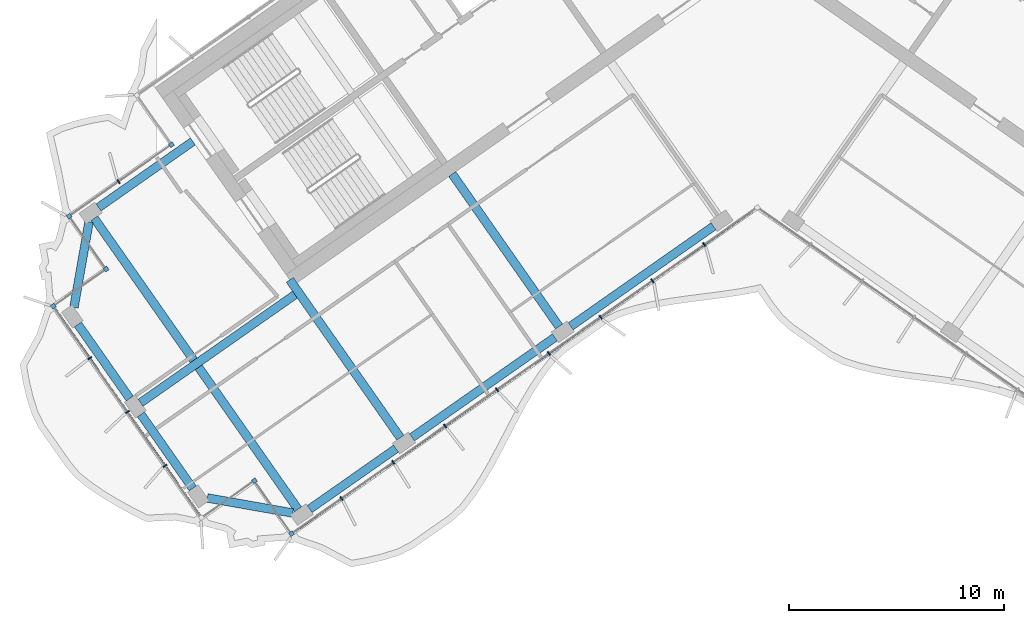
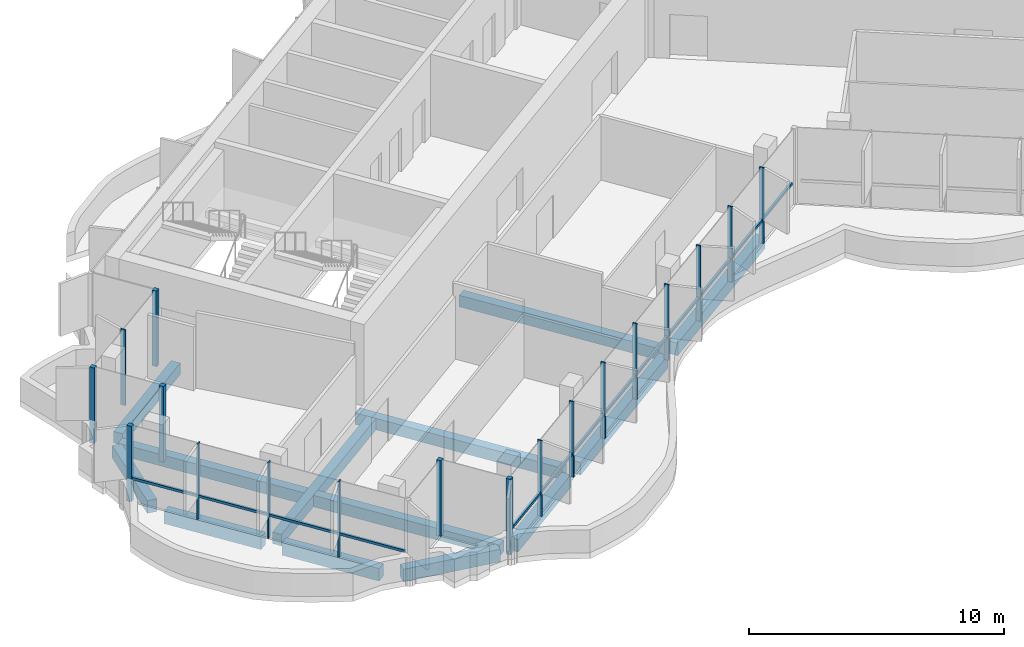
# One storey, part 2 of 20: 20 members, 12 beams, 2 elements without a shape of their own.
"""IFC4 building model written with IfcOpenShell, lengths in metres."""

from ifc_helpers import new_model, si_unit, direction, frame, origin, origin_2d, place, context, subcontext, project, spatial, rectangle, extrude, material, material_profile, profile_set, type_object, element, aggregate, save


model = new_model("IFC4")

# Units and contexts
model_context = context("Model", 3, precision=1e-05, world=origin(), true_north=direction((0.0, 1.0)))
body_context = subcontext(model_context, "Body", "Model", "MODEL_VIEW")
ifc_project = project(units=[si_unit("LENGTHUNIT", "METRE"), si_unit("AREAUNIT", "SQUARE_METRE"), si_unit("VOLUMEUNIT", "CUBIC_METRE"), si_unit("PLANEANGLEUNIT", "RADIAN"), si_unit("MASSUNIT", "GRAM", prefix="KILO")], contexts=[model_context])

# Site, building, storey
site_placement = place(None, origin())
site = spatial("IfcSite", under=ifc_project, at=site_placement, CompositionType="ELEMENT")
building_placement = place(site_placement, origin())
building = spatial("IfcBuilding", under=site, at=building_placement, Name="Tel Ilan Convention Tower", CompositionType="ELEMENT")
storey_placement = place(building_placement, frame((0.0, 0.0, 248.800048828125)))
storey = spatial("IfcBuildingStorey", under=building, at=storey_placement, Name="L58", CompositionType="ELEMENT", Elevation=248.800048828125)

# Beams
ifc_material_1 = material(Name="Concrete C40/50", Category="concrete")
ifc_material_profile_1 = material_profile(ifc_material_1, rectangle(XDim=0.39990234375, YDim=0.550048828125, at=origin_2d()), Name="RC 400x550")
ifc_profile_set_1 = profile_set([ifc_material_profile_1], Name="Concrete C40/50")
beam_type_1 = type_object("IfcBeamType", Name="Beam RC 400x550 Concrete C40/50", PredefinedType="BEAM", material=ifc_profile_set_1)
beam_1_placement = place(storey_placement, frame((-30.6005859375, -12.6982421875, -0.554931640625), z_axis=(0.819146154531, 0.573584847705, 0.0), x_axis=(-0.573584847705, 0.819146154531, 0.0)))
element("IfcBeam", 1, at=beam_1_placement, inside=storey, type_object=beam_type_1, Name="L58 beam W-W-BC-core", PredefinedType="BEAM", context=body_context, shape_type="SweptSolid", body=[
    extrude(rectangle(XDim=0.39990234375, YDim=0.550048828125, at=origin_2d()), origin(), (0.0, 0.0, 1.0), 5.349853515625),
])
beam_2_placement = place(storey_placement, frame((-9.209716796875, -18.229248046875, -0.554931640625), z_axis=(-0.573574099654, 0.819153680457, 0.0), x_axis=(-0.819153680457, -0.573574099654, 0.0)))
element("IfcBeam", 2, at=beam_2_placement, inside=storey, type_object=beam_type_1, Name="L58 beam W-W-F2-core", PredefinedType="BEAM", context=body_context, shape_type="SweptSolid", body=[
    extrude(rectangle(XDim=0.39990234375, YDim=0.550048828125, at=origin_2d()), origin(), (0.0, 0.0, 1.0), 8.64990234375),
])
beam_3_placement = place(storey_placement, frame((-16.58203125, -23.391357421875, -0.554931640625), z_axis=(-0.573584999642, 0.819146048141, 0.0), x_axis=(-0.819146048141, -0.573584999642, 0.0)))
element("IfcBeam", 3, at=beam_3_placement, inside=storey, type_object=beam_type_1, Name="L58 beam W-W-F3-core", PredefinedType="BEAM", context=body_context, shape_type="SweptSolid", body=[
    extrude(rectangle(XDim=0.39990234375, YDim=0.550048828125, at=origin_2d()), origin(), (0.0, 0.0, 1.0), 8.949951171875),
])
beam_4_placement = place(storey_placement, frame((-21.477783203125, -16.748046875, -0.554931640625), z_axis=(-0.819157197737, -0.573569076395, 0.0), x_axis=(0.573569076395, -0.819157197737, 0.0)))
element("IfcBeam", 4, at=beam_4_placement, inside=storey, type_object=beam_type_1, Name="L58 beam W-core-end", PredefinedType="BEAM", context=body_context, shape_type="SweptSolid", body=[
    extrude(rectangle(XDim=0.39990234375, YDim=0.550048828125, at=origin_2d()), origin(), (0.0, 0.0, 1.0), 8.75),
])
beam_5_placement = place(storey_placement, frame((-21.333251953125, -26.718017578125, -0.554931640625), z_axis=(-0.573574554643, 0.819153361872, 0.0), x_axis=(-0.819153361872, -0.573574554643, 0.0)))
element("IfcBeam", 5, at=beam_5_placement, inside=storey, type_object=beam_type_1, Name="L58 beam W-W-FC-W-BC", PredefinedType="BEAM", context=body_context, shape_type="SweptSolid", body=[
    extrude(rectangle(XDim=0.39990234375, YDim=0.550048828125, at=origin_2d()), origin(), (0.0, 0.0, 1.0), 16.499755859375),
])
ifc_material_2 = material(Name="Concrete C40/50", Category="concrete")
ifc_material_profile_2 = material_profile(ifc_material_2, rectangle(XDim=0.39990234375, YDim=0.60009765625, at=origin_2d()), Name="RC 400x600")
ifc_profile_set_2 = profile_set([ifc_material_profile_2], Name="Concrete C40/50")
beam_type_2 = type_object("IfcBeamType", Name="Beam RC 400x600 Concrete C40/50", PredefinedType="BEAM", material=ifc_profile_set_2)
beam_6_placement = place(storey_placement, frame((-2.033935546875, -13.57080078125, -0.580078125), z_axis=(-0.81914553362, -0.573585734437, 0.0), x_axis=(0.573585734437, -0.81914553362, 0.0)))
element("IfcBeam", 6, at=beam_6_placement, inside=storey, type_object=beam_type_2, Name="L58 beam W-W-F1-W-F2", PredefinedType="BEAM", context=body_context, shape_type="SweptSolid", body=[
    extrude(rectangle(XDim=0.39990234375, YDim=0.60009765625, at=origin_2d()), origin(), (0.0, 0.0, 1.0), 8.099853515625),
])
beam_7_placement = place(storey_placement, frame((-9.40625, -18.73291015625, -0.580078125), z_axis=(-0.819155449703, -0.573571572885, 0.0), x_axis=(0.573571572885, -0.819155449703, 0.0)))
element("IfcBeam", 7, at=beam_7_placement, inside=storey, type_object=beam_type_2, Name="L58 beam W-W-F2-W-F3", PredefinedType="BEAM", context=body_context, shape_type="SweptSolid", body=[
    extrude(rectangle(XDim=0.39990234375, YDim=0.60009765625, at=origin_2d()), origin(), (0.0, 0.0, 1.0), 8.10009765625),
])
beam_8_placement = place(storey_placement, frame((-16.778564453125, -23.895263671875, -0.580078125), z_axis=(-0.819154669329, -0.573572687386, 0.0), x_axis=(0.573572687386, -0.819154669329, 0.0)))
element("IfcBeam", 8, at=beam_8_placement, inside=storey, type_object=beam_type_2, Name="L58 beam W-W-F3-W-FC", PredefinedType="BEAM", context=body_context, shape_type="SweptSolid", body=[
    extrude(rectangle(XDim=0.39990234375, YDim=0.60009765625, at=origin_2d()), origin(), (0.0, 0.0, 1.0), 4.900146484375),
])
beam_9_placement = place(storey_placement, frame((-21.578857421875, -26.89013671875, -0.580078125), z_axis=(-0.984804894423, 0.173664388751, 0.0), x_axis=(-0.173664388751, -0.984804894423, 0.0)))
element("IfcBeam", 9, at=beam_9_placement, inside=storey, type_object=beam_type_2, Name="L58 beam W-W-FC-W-E1", PredefinedType="BEAM", context=body_context, shape_type="SweptSolid", body=[
    extrude(rectangle(XDim=0.39990234375, YDim=0.60009765625, at=origin_2d()), origin(), (0.0, 0.0, 1.0), 4.030517578125),
])
for number, where, z_axis, x_axis, name in (
    (10, (-26.22412109375, -25.748046875, -0.580078125), (-0.573563773994, 0.819160910421, 0.0), (-0.819160910421, -0.573563773994, 0.0), "L58 beam W-W-E1-W-E2"),
    (11, (-29.1494140625, -21.5703125, -0.580078125), (-0.573563773994, 0.819160910421, 0.0), (-0.819160910421, -0.573563773994, 0.0), "L58 beam W-W-E2-W-E3"),
):
    element("IfcBeam", number, at=place(storey_placement, frame(where, z_axis=z_axis, x_axis=x_axis)), inside=storey, type_object=beam_type_2, Name=name, PredefinedType="BEAM", context=body_context, shape_type="SweptSolid", body=[
        extrude(rectangle(XDim=0.39990234375, YDim=0.60009765625, at=origin_2d()), origin(), (0.0, 0.0, 1.0), 4.199951171875),
    ])
beam_10_placement = place(storey_placement, frame((-31.742919921875, -17.343505859375, -0.580078125), z_axis=(0.173664388751, 0.984804894423, 0.0), x_axis=(-0.984804894423, 0.173664388751, 0.0)))
element("IfcBeam", 12, at=beam_10_placement, inside=storey, type_object=beam_type_2, Name="L58 beam W-W-E3-W-BC", PredefinedType="BEAM", context=body_context, shape_type="SweptSolid", body=[
    extrude(rectangle(XDim=0.39990234375, YDim=0.60009765625, at=origin_2d()), origin(), (0.0, 0.0, 1.0), 4.030517578125),
])

# Curtain wall, member
ifc_material_3 = material(Name="Aluminium, bronze anodised", Category="aluminium")
curtain_wall_type_1 = type_object("IfcCurtainWallType", Name="CW2 STICK CURTAIN WALL, SPANDREL PANELS", PredefinedType="NOTDEFINED", material=ifc_material_3)
curtain_wall_1_placement = place(storey_placement, origin())
curtain_wall_1 = element("IfcCurtainWall", 13, at=curtain_wall_1_placement, inside=storey, type_object=curtain_wall_type_1, Name="Curtain wall CW2-45.02", PredefinedType="NOTDEFINED")
ifc_material_4 = material(Name="Aluminium, bronze anodised", Category="aluminium")
ifc_material_profile_3 = material_profile(ifc_material_4, rectangle(XDim=0.199951171875, YDim=0.199951171875, at=origin_2d()), Name="CW CORNER MULLION 200x200")
ifc_profile_set_3 = profile_set([ifc_material_profile_3], Name="Aluminium, bronze anodised")
member_type_1 = type_object("IfcMemberType", Name="CW CORNER MULLION 200x200", PredefinedType="MULLION", material=ifc_profile_set_3)
member_1_placement = place(storey_placement, frame((-27.213623046875, -9.77734375, 0.0), z_axis=(0.0, 0.0, 1.0), x_axis=(0.573576436351, -0.819152044289, 0.0)))
member_1 = element("IfcMember", 14, at=member_1_placement, type_object=member_type_1, Name="Corner mullion", PredefinedType="MULLION", context=body_context, shape_type="SweptSolid", body=[
    extrude(rectangle(XDim=0.199951171875, YDim=0.199951171875, at=origin_2d()), origin(), (0.0, 0.0, 1.0), 3.619873046875),
])
aggregate(curtain_wall_1, [member_1])

# Curtain wall, members
ifc_material_5 = material(Name="Aluminium, bronze anodised", Category="aluminium")
curtain_wall_type_2 = type_object("IfcCurtainWallType", Name="CW5 STICK CURTAIN WALL, UPPER OFFICE LOW-IRON TINTED GLASS", PredefinedType="NOTDEFINED", material=ifc_material_5)
curtain_wall_2_placement = place(storey_placement, origin())
curtain_wall_2 = element("IfcCurtainWall", 15, at=curtain_wall_2_placement, inside=storey, type_object=curtain_wall_type_2, Name="Curtain wall CW5-45.03", PredefinedType="NOTDEFINED")
member_2_placement = place(storey_placement, frame((-31.964599609375, -13.10400390625, 0.0), z_axis=(0.0, 0.0, 1.0), x_axis=(-0.819152044289, -0.573576436351, 0.0)))
member_2 = element("IfcMember", 16, at=member_2_placement, type_object=member_type_1, Name="Corner mullion", PredefinedType="MULLION", context=body_context, shape_type="SweptSolid", body=[
    extrude(rectangle(XDim=0.199951171875, YDim=0.199951171875, at=origin_2d()), origin(), (0.0, 0.0, 1.0), 3.619873046875),
])
member_3_placement = place(storey_placement, frame((-30.243896484375, -15.5615234375, 0.0), z_axis=(0.0, 0.0, 1.0), x_axis=(0.573576436351, -0.819152044289, 0.0)))
member_3 = element("IfcMember", 17, at=member_3_placement, type_object=member_type_1, Name="Corner mullion", PredefinedType="MULLION", context=body_context, shape_type="SweptSolid", body=[
    extrude(rectangle(XDim=0.199951171875, YDim=0.199951171875, at=origin_2d()), origin(), (0.0, 0.0, 1.0), 3.619873046875),
])
member_4_placement = place(storey_placement, frame((-32.701416015625, -17.2822265625, 0.0), z_axis=(0.0, 0.0, 1.0), x_axis=(-0.819152044289, -0.573576436351, 0.0)))
member_4 = element("IfcMember", 18, at=member_4_placement, type_object=member_type_1, Name="Corner mullion", PredefinedType="MULLION", context=body_context, shape_type="SweptSolid", body=[
    extrude(rectangle(XDim=0.199951171875, YDim=0.199951171875, at=origin_2d()), origin(), (0.0, 0.0, 1.0), 3.619873046875),
])
member_5_placement = place(storey_placement, frame((-23.36083984375, -25.391357421875, 0.0), z_axis=(0.0, 0.0, 1.0), x_axis=(0.819152044289, 0.573576436351, 0.0)))
member_5 = element("IfcMember", 19, at=member_5_placement, type_object=member_type_1, Name="Corner mullion", PredefinedType="MULLION", context=body_context, shape_type="SweptSolid", body=[
    extrude(rectangle(XDim=0.199951171875, YDim=0.199951171875, at=origin_2d()), origin(), (0.0, 0.0, 1.0), 3.619873046875),
])
member_6_placement = place(storey_placement, frame((-21.64013671875, -27.8486328125, 0.0), z_axis=(0.0, 0.0, 1.0), x_axis=(0.573576436351, -0.819152044289, 0.0)))
member_6 = element("IfcMember", 20, at=member_6_placement, type_object=member_type_1, Name="Corner mullion", PredefinedType="MULLION", context=body_context, shape_type="SweptSolid", body=[
    extrude(rectangle(XDim=0.199951171875, YDim=0.199951171875, at=origin_2d()), origin(), (0.0, 0.0, 1.0), 3.619873046875),
])
ifc_material_6 = material(Name="Aluminium, bronze anodised", Category="aluminium")
ifc_material_profile_4 = material_profile(ifc_material_6, rectangle(XDim=0.06005859375, YDim=0.199951171875, at=origin_2d()), Name="CW MULLION 60x200")
ifc_profile_set_4 = profile_set([ifc_material_profile_4], Name="Aluminium, bronze anodised")
member_type_2 = type_object("IfcMemberType", Name="CW MULLION 60x200", PredefinedType="MULLION", material=ifc_profile_set_4)
member_7_placement = place(storey_placement, frame((-29.6708984375, -11.498046875, 0.0), z_axis=(0.0, 0.0, 1.0), x_axis=(-0.819152044289, -0.573576436351, 0.0)))
member_7 = element("IfcMember", 21, at=member_7_placement, type_object=member_type_2, Name="Mullion", PredefinedType="MULLION", context=body_context, shape_type="SweptSolid", body=[
    extrude(rectangle(XDim=0.06005859375, YDim=0.199951171875, at=origin_2d()), origin(), (0.0, 0.0, 1.0), 3.619873046875),
])
member_8_placement = place(storey_placement, frame((-31.00927734375, -19.69873046875, 0.0), z_axis=(0.0, 0.0, 1.0), x_axis=(0.573576436351, -0.819152044289, 0.0)))
member_8 = element("IfcMember", 22, at=member_8_placement, type_object=member_type_2, Name="Mullion", PredefinedType="MULLION", context=body_context, shape_type="SweptSolid", body=[
    extrude(rectangle(XDim=0.06005859375, YDim=0.199951171875, at=origin_2d()), origin(), (0.0, 0.0, 1.0), 3.619873046875),
])
member_9_placement = place(storey_placement, frame((-29.259765625, -22.197021484375, 0.0), z_axis=(0.0, 0.0, 1.0), x_axis=(0.573576436351, -0.819152044289, 0.0)))
member_9 = element("IfcMember", 23, at=member_9_placement, type_object=member_type_2, Name="Mullion", PredefinedType="MULLION", context=body_context, shape_type="SweptSolid", body=[
    extrude(rectangle(XDim=0.06005859375, YDim=0.199951171875, at=origin_2d()), origin(), (0.0, 0.0, 1.0), 3.619873046875),
])
member_10_placement = place(storey_placement, frame((-27.510498046875, -24.695556640625, 0.0), z_axis=(0.0, 0.0, 1.0), x_axis=(0.573576436351, -0.819152044289, 0.0)))
member_10 = element("IfcMember", 24, at=member_10_placement, type_object=member_type_2, Name="Mullion", PredefinedType="MULLION", context=body_context, shape_type="SweptSolid", body=[
    extrude(rectangle(XDim=0.06005859375, YDim=0.199951171875, at=origin_2d()), origin(), (0.0, 0.0, 1.0), 3.619873046875),
])
member_11_placement = place(storey_placement, frame((-19.31494140625, -26.220458984375, 0.0), z_axis=(0.0, 0.0, 1.0), x_axis=(0.819152044289, 0.573576436351, 0.0)))
member_11 = element("IfcMember", 25, at=member_11_placement, type_object=member_type_2, Name="Mullion", PredefinedType="MULLION", context=body_context, shape_type="SweptSolid", body=[
    extrude(rectangle(XDim=0.06005859375, YDim=0.199951171875, at=origin_2d()), origin(), (0.0, 0.0, 1.0), 3.619873046875),
])
member_12_placement = place(storey_placement, frame((-16.90771484375, -24.534912109375, 0.0), z_axis=(0.0, 0.0, 1.0), x_axis=(0.819152044289, 0.573576436351, 0.0)))
member_12 = element("IfcMember", 26, at=member_12_placement, type_object=member_type_2, Name="Mullion", PredefinedType="MULLION", context=body_context, shape_type="SweptSolid", body=[
    extrude(rectangle(XDim=0.06005859375, YDim=0.199951171875, at=origin_2d()), origin(), (0.0, 0.0, 1.0), 3.619873046875),
])
member_13_placement = place(storey_placement, frame((-14.50048828125, -22.849365234375, 0.0), z_axis=(0.0, 0.0, 1.0), x_axis=(0.819152044289, 0.573576436351, 0.0)))
member_13 = element("IfcMember", 27, at=member_13_placement, type_object=member_type_2, Name="Mullion", PredefinedType="MULLION", context=body_context, shape_type="SweptSolid", body=[
    extrude(rectangle(XDim=0.06005859375, YDim=0.199951171875, at=origin_2d()), origin(), (0.0, 0.0, 1.0), 3.619873046875),
])
member_14_placement = place(storey_placement, frame((-12.09326171875, -21.163818359375, 0.0), z_axis=(0.0, 0.0, 1.0), x_axis=(0.819152044289, 0.573576436351, 0.0)))
member_14 = element("IfcMember", 28, at=member_14_placement, type_object=member_type_2, Name="Mullion", PredefinedType="MULLION", context=body_context, shape_type="SweptSolid", body=[
    extrude(rectangle(XDim=0.06005859375, YDim=0.199951171875, at=origin_2d()), origin(), (0.0, 0.0, 1.0), 3.619873046875),
])
member_15_placement = place(storey_placement, frame((-9.68603515625, -19.478271484375, 0.0), z_axis=(0.0, 0.0, 1.0), x_axis=(0.819152044289, 0.573576436351, 0.0)))
member_15 = element("IfcMember", 29, at=member_15_placement, type_object=member_type_2, Name="Mullion", PredefinedType="MULLION", context=body_context, shape_type="SweptSolid", body=[
    extrude(rectangle(XDim=0.06005859375, YDim=0.199951171875, at=origin_2d()), origin(), (0.0, 0.0, 1.0), 3.619873046875),
])
member_16_placement = place(storey_placement, frame((-7.279052734375, -17.792724609375, 0.0), z_axis=(0.0, 0.0, 1.0), x_axis=(0.819152044289, 0.573576436351, 0.0)))
member_16 = element("IfcMember", 30, at=member_16_placement, type_object=member_type_2, Name="Mullion", PredefinedType="MULLION", context=body_context, shape_type="SweptSolid", body=[
    extrude(rectangle(XDim=0.06005859375, YDim=0.199951171875, at=origin_2d()), origin(), (0.0, 0.0, 1.0), 3.619873046875),
])
member_17_placement = place(storey_placement, frame((-4.871826171875, -16.107177734375, 0.0), z_axis=(0.0, 0.0, 1.0), x_axis=(0.819152044289, 0.573576436351, 0.0)))
member_17 = element("IfcMember", 31, at=member_17_placement, type_object=member_type_2, Name="Mullion", PredefinedType="MULLION", context=body_context, shape_type="SweptSolid", body=[
    extrude(rectangle(XDim=0.06005859375, YDim=0.199951171875, at=origin_2d()), origin(), (0.0, 0.0, 1.0), 3.619873046875),
])
member_18_placement = place(storey_placement, frame((-2.464599609375, -14.421875, 0.0), z_axis=(0.0, 0.0, 1.0), x_axis=(0.819152044289, 0.573576436351, 0.0)))
member_18 = element("IfcMember", 32, at=member_18_placement, type_object=member_type_2, Name="Mullion", PredefinedType="MULLION", context=body_context, shape_type="SweptSolid", body=[
    extrude(rectangle(XDim=0.06005859375, YDim=0.199951171875, at=origin_2d()), origin(), (0.0, 0.0, 1.0), 3.619873046875),
])
ifc_material_7 = material(Name="Aluminium, bronze anodised", Category="aluminium")
ifc_material_profile_5 = material_profile(ifc_material_7, rectangle(XDim=0.10009765625, YDim=0.1201171875, at=origin_2d()), Name="CW TRANSOM 100x120")
ifc_profile_set_5 = profile_set([ifc_material_profile_5], Name="Aluminium, bronze anodised")
member_type_3 = type_object("IfcMemberType", Name="CW TRANSOM 100x120", PredefinedType="USERDEFINED", material=ifc_profile_set_5)
member_19_placement = place(storey_placement, frame((-32.64404296875, -17.364013671875, 1.099853515625), z_axis=(0.573581755582, -0.819148319698, 0.0), x_axis=(0.819148319698, 0.573581755582, 0.0)))
member_19 = element("IfcMember", 33, at=member_19_placement, type_object=member_type_3, Name="Transom", ObjectType="TRANSOM", PredefinedType="USERDEFINED", context=body_context, shape_type="SweptSolid", body=[
    extrude(rectangle(XDim=0.10009765625, YDim=0.1201171875, at=origin_2d()), origin(), (0.0, 0.0, 1.0), 11.800048828125),
])
member_20_placement = place(storey_placement, frame((-21.558349609375, -27.791259765625, 1.099853515625), z_axis=(0.819152212587, 0.573576195996, 0.0), x_axis=(-0.573576195996, 0.819152212587, 0.0)))
member_20 = element("IfcMember", 34, at=member_20_placement, type_object=member_type_3, Name="Transom", ObjectType="TRANSOM", PredefinedType="USERDEFINED", context=body_context, shape_type="SweptSolid", body=[
    extrude(rectangle(XDim=0.10009765625, YDim=0.1201171875, at=origin_2d()), origin(), (0.0, 0.0, 1.0), 26.0478515625),
])
aggregate(curtain_wall_2, [member_7, member_2, member_3, member_4, member_8, member_9, member_10, member_19, member_5, member_6, member_11, member_12, member_13, member_14, member_15, member_16, member_17, member_18, member_20])

save(model, "model.ifc")
